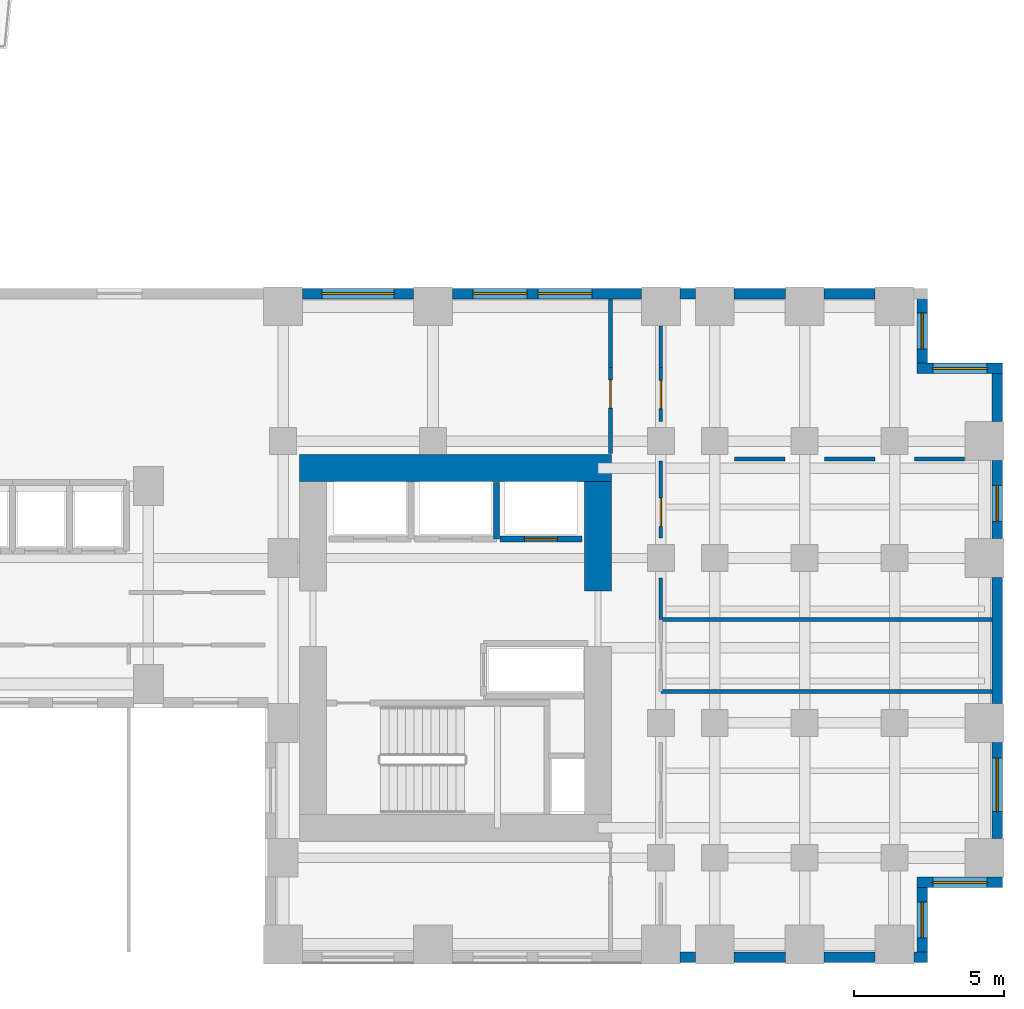
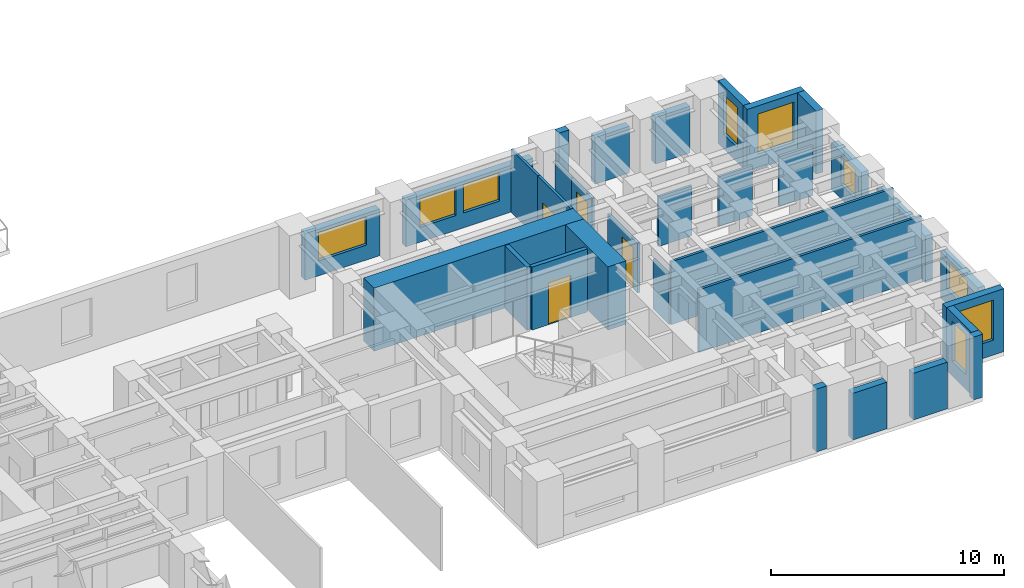
# One storey, part 8 of 11: 32 walls, 9 windows, 4 doors, 13 openings.
"""IFC4 building model written with IfcOpenShell, lengths in metres."""

import ifcopenshell
import ifcopenshell.guid

model = None  # the IFC model being written
_history = None  # IfcOwnerHistory: only IFC2X3 demands one
_inside = {}  # id of a spatial element -> (the spatial element, [elements in it])
_under = {}  # id of a project, library or spatial element -> (it, [spatial elements below it])
_declared = {}  # id of a project -> (the project, [libraries it declares])
_typed = {}  # id of a type object -> (the type object, [elements of that type])
_made_of = {}  # id of a material, layer set ... -> (it, [elements and type objects made of it])


def new_model(schema):
    """Start an empty IFC model of exactly this schema.

    Asked for "IFC4X3", IfcOpenShell would pick the latest addendum, in which some entities
    have other attributes; the version numbers below select the first issue.
    IFC2X3 requires an IfcOwnerHistory on every rooted entity: one is made here for all.
    """
    global model, _history
    if schema == "IFC4X3":
        model = ifcopenshell.file(schema_version=(4, 3, 0, 0))
    else:
        model = ifcopenshell.file(schema=schema)
    _inside.clear()
    _under.clear()
    _declared.clear()
    _typed.clear()
    _made_of.clear()
    _history = None
    if model.schema == "IFC2X3":
        org = make("IfcOrganization", Name="unknown")
        user = make(
            "IfcPersonAndOrganization",
            ThePerson=make("IfcPerson", FamilyName="unknown"),
            TheOrganization=org,
        )
        app = make(
            "IfcApplication",
            ApplicationDeveloper=org,
            Version="unknown",
            ApplicationFullName="unknown",
            ApplicationIdentifier="unknown",
        )
        _history = make(
            "IfcOwnerHistory",
            OwningUser=user,
            OwningApplication=app,
            ChangeAction="ADDED",
            CreationDate=0,
        )
    return model


def make(cls, **values):
    """One entity of the class cls with the attributes given. An attribute that is None is left unset."""
    return model.create_entity(
        cls, **{name: value for name, value in values.items() if value is not None}
    )


def rooted(cls, **values):
    """An entity with a GlobalId (a new one), such as an element, a storey or a relation."""
    return make(cls, GlobalId=ifcopenshell.guid.new(), OwnerHistory=_history, **values)


def si_unit(unit_type, name, prefix=None):
    """IfcSIUnit, for example si_unit("LENGTHUNIT", "METRE", prefix="MILLI")."""
    return make("IfcSIUnit", UnitType=unit_type, Prefix=prefix, Name=name)


def assignment(units):
    """IfcUnitAssignment: the units of a project."""
    return None if units is None else make("IfcUnitAssignment", Units=units)


def point(xyz):
    """IfcCartesianPoint."""
    return None if xyz is None else make("IfcCartesianPoint", Coordinates=xyz)


def direction(xyz):
    """IfcDirection."""
    return None if xyz is None else make("IfcDirection", DirectionRatios=xyz)


def frame(location, z_axis=None, x_axis=None):
    """IfcAxis2Placement3D, a coordinate frame: its origin and axes. An axis left out is left unset."""
    return make(
        "IfcAxis2Placement3D",
        Location=point(location),
        Axis=direction(z_axis),
        RefDirection=direction(x_axis),
    )


def frame_2d(location, x_axis=None):
    """IfcAxis2Placement2D, a coordinate frame in the plane: its origin and x axis."""
    return make(
        "IfcAxis2Placement2D", Location=point(location), RefDirection=direction(x_axis)
    )


def origin():
    """The frame at (0, 0, 0) with its axes left unset."""
    return frame((0.0, 0.0, 0.0))


def place(relative_to, where):
    """IfcLocalPlacement: puts the frame where relative to a parent placement (None: the world)."""
    return make(
        "IfcLocalPlacement", PlacementRelTo=relative_to, RelativePlacement=where
    )


def context(
    kind, dimensions, precision=None, world=None, true_north=None, identifier=None
):
    """IfcGeometricRepresentationContext, for example the 3D "Model" context."""
    return make(
        "IfcGeometricRepresentationContext",
        ContextIdentifier=identifier,
        ContextType=kind,
        CoordinateSpaceDimension=dimensions,
        Precision=precision,
        WorldCoordinateSystem=world,
        TrueNorth=true_north,
    )


def subcontext(parent, identifier, kind, view, scale=None):
    """IfcGeometricRepresentationSubContext, for example "Body" below "Model"."""
    return make(
        "IfcGeometricRepresentationSubContext",
        ContextIdentifier=identifier,
        ContextType=kind,
        ParentContext=parent,
        TargetScale=scale,
        TargetView=view,
    )


def project(units=None, contexts=None):
    """IfcProject with its units and contexts."""
    return rooted(
        "IfcProject",
        Name="project",
        RepresentationContexts=contexts,
        UnitsInContext=assignment(units),
    )


def spatial(cls, under=None, at=None, **own):
    """A site, building, storey or space (cls), placed at a placement, below another one or the project."""
    s = rooted(cls, ObjectPlacement=at, **own)
    if under is not None:
        _under.setdefault(under.id(), (under, []))[1].append(s)
    return s


def profile(cls, at=None, kind="AREA", **sizes):
    """A parametric profile (cls). Its sizes go by their IFC names, for example OverallWidth=200.0."""
    return make(cls, ProfileType=kind, Position=at, **sizes)


def rectangle(**sizes):
    """IfcRectangleProfileDef."""
    return profile("IfcRectangleProfileDef", **sizes)


def extrude(swept, where, along, depth):
    """IfcExtrudedAreaSolid: the profile swept, set in the frame where, extruded along a direction by depth."""
    return make(
        "IfcExtrudedAreaSolid",
        SweptArea=swept,
        Position=where,
        ExtrudedDirection=direction(along),
        Depth=depth,
    )


def shape(context_of_items, identifier, shape_type, items):
    """IfcShapeRepresentation: the items that make up one representation, for example the "Body"."""
    return make(
        "IfcShapeRepresentation",
        ContextOfItems=context_of_items,
        RepresentationIdentifier=identifier,
        RepresentationType=shape_type,
        Items=items,
    )


def source(mapping_origin, context_of_items, identifier, shape_type, items):
    """IfcRepresentationMap: a shape defined once, which mapped items show again and again."""
    return make(
        "IfcRepresentationMap",
        MappingOrigin=mapping_origin,
        MappedRepresentation=shape(context_of_items, identifier, shape_type, items),
    )


def transform(
    local_origin,
    x_axis=None,
    y_axis=None,
    z_axis=None,
    scale=None,
    scale2=None,
    scale3=None,
    uniform=True,
):
    """IfcCartesianTransformationOperator3D, or its non-uniform kind. x_axis, y_axis, z_axis: its Axis1, 2, 3."""
    if uniform:
        return make(
            "IfcCartesianTransformationOperator3D",
            Axis1=direction(x_axis),
            Axis2=direction(y_axis),
            LocalOrigin=point(local_origin),
            Scale=scale,
            Axis3=direction(z_axis),
        )
    return make(
        "IfcCartesianTransformationOperator3DnonUniform",
        Axis1=direction(x_axis),
        Axis2=direction(y_axis),
        LocalOrigin=point(local_origin),
        Scale=scale,
        Axis3=direction(z_axis),
        Scale2=scale2,
        Scale3=scale3,
    )


def mapped(mapping_source, mapping_target):
    """IfcMappedItem: shows the shape of a source again, moved by a transform."""
    return make(
        "IfcMappedItem", MappingSource=mapping_source, MappingTarget=mapping_target
    )


def material(Name=None, Category=None):
    """IfcMaterial."""
    return make("IfcMaterial", Name=Name, Category=Category)


def layer(
    of_material, thickness, ventilated=None, Name=None, Category=None, Priority=None
):
    """IfcMaterialLayer: one layer of a wall or slab, of a material (None: an air gap)."""
    return make(
        "IfcMaterialLayer",
        Material=of_material,
        LayerThickness=thickness,
        IsVentilated=ventilated,
        Name=Name,
        Category=Category,
        Priority=Priority,
    )


def layer_set(layers, Name=None):
    """IfcMaterialLayerSet."""
    return make("IfcMaterialLayerSet", MaterialLayers=layers, LayerSetName=Name)


def made_of(thing, what):
    """Note that an element or type object is made of a material, layer set ...; save() writes the relation."""
    if what is not None:
        _made_of.setdefault(what.id(), (what, []))[1].append(thing)
    return thing


def type_object(cls, material=None, **own):
    """A type object (cls), such as IfcWallType, which elements share."""
    return made_of(rooted(cls, **own), material)


def element(
    cls,
    number,
    at=None,
    inside=None,
    cuts=None,
    type_object=None,
    material=None,
    context=None,
    identifier="Body",
    shape_type=None,
    held_by="IfcProductDefinitionShape",
    body=None,
    shapes=None,
    **own,
):
    """One element of the class cls, such as IfcWall. Its Tag is "e" and its number.

    at: its placement. inside: the storey or other place that contains it. cuts: it is an
    opening in that element (IfcRelVoidsElement). A single representation is given by context,
    identifier, shape_type and body (its items); several are given by shapes. held_by: the class
    of the entity that holds the representations. save() writes the other relations.
    """
    e = rooted(cls, Tag="e%d" % number, ObjectPlacement=at, **own)
    if body is not None:
        shapes = [shape(context, identifier, shape_type, body)]
    if shapes is not None:
        e.Representation = make(held_by, Representations=shapes)
    if inside is not None:
        _inside.setdefault(inside.id(), (inside, []))[1].append(e)
    if cuts is not None:
        rooted(
            "IfcRelVoidsElement", RelatingBuildingElement=cuts, RelatedOpeningElement=e
        )
    if type_object is not None:
        _typed.setdefault(type_object.id(), (type_object, []))[1].append(e)
    return made_of(e, material)


def fill(opening, filler):
    """IfcRelFillsElement: the door or window that sits in an opening."""
    return rooted(
        "IfcRelFillsElement",
        RelatingOpeningElement=opening,
        RelatedBuildingElement=filler,
    )


def aggregate(whole, parts):
    """IfcRelAggregates: a whole, such as a stair, and the parts it consists of."""
    return rooted("IfcRelAggregates", RelatingObject=whole, RelatedObjects=parts)


def save(model, path):
    """Write the relations noted so far, then the file.

    IfcRelAggregates (storeys below a building ...), IfcRelContainedInSpatialStructure (elements
    in a storey), IfcRelDefinesByType, IfcRelAssociatesMaterial and IfcRelDeclares: one each for
    every whole, place, type object, material and project.
    """
    for whole, parts in _under.values():
        aggregate(whole, parts)
    for where, things in _inside.values():
        rooted(
            "IfcRelContainedInSpatialStructure",
            RelatedElements=things,
            RelatingStructure=where,
        )
    for kind, things in _typed.values():
        rooted("IfcRelDefinesByType", RelatedObjects=things, RelatingType=kind)
    for what, things in _made_of.values():
        rooted("IfcRelAssociatesMaterial", RelatedObjects=things, RelatingMaterial=what)
    for by, libraries in _declared.values():
        rooted("IfcRelDeclares", RelatingContext=by, RelatedDefinitions=libraries)
    model.write(path)


model = new_model("IFC4")

# Units and contexts
model_context = context("Model", 3, precision=1e-05, world=origin(), true_north=direction((0.0, 1.0)))
body_context = subcontext(model_context, "Body", "Model", "MODEL_VIEW")
ifc_project = project(units=[si_unit("LENGTHUNIT", "METRE"), si_unit("AREAUNIT", "SQUARE_METRE"), si_unit("VOLUMEUNIT", "CUBIC_METRE"), si_unit("PLANEANGLEUNIT", "RADIAN"), si_unit("MASSUNIT", "GRAM", prefix="KILO")], contexts=[model_context])

# Site, building, storey
site_placement = place(None, origin())
site = spatial("IfcSite", under=ifc_project, at=site_placement, CompositionType="ELEMENT")
building_placement = place(site_placement, origin())
building = spatial("IfcBuilding", under=site, at=building_placement, Name="Kharzan Plaza Tower", CompositionType="ELEMENT")
storey_placement = place(building_placement, frame((0.0, 0.0, 69.300048828125)))
storey = spatial("IfcBuildingStorey", under=building, at=storey_placement, Name="L18", CompositionType="ELEMENT", Elevation=69.300048828125)

# Wall, opening, window
ifc_material_1 = material(Name="Concrete C40/50", Category="concrete")
ifc_layer_1 = layer(ifc_material_1, 0.35009765625)
ifc_layer_set_1 = layer_set([ifc_layer_1], Name="Concrete C40/50")
wall_type_1 = type_object("IfcWallType", Name="WL-EXT-MAS-Z1", PredefinedType="SOLIDWALL", material=ifc_layer_set_1)
wall_1_placement = place(storey_placement, frame((56.324951171875, 0.347900390625, 0.0), z_axis=(0.0, 0.0, 1.0), x_axis=(0.0, 1.0, 0.0)))
wall_1 = element("IfcWall", 1, at=wall_1_placement, inside=storey, type_object=wall_type_1, Name="L18 Masonry-Frame Exterior Wall 39", PredefinedType="SOLIDWALL", context=body_context, shape_type="SweptSolid", body=[
    extrude(rectangle(XDim=2.154052734375, YDim=0.35009765625, at=frame_2d((1.0771484375, 0.0))), origin(), (0.0, 0.0, 1.0), 3.304931640625),
])
opening_1_placement = place(wall_1_placement, frame((0.47705078125, 0.0, 0.780029296875)))
opening_1 = element("IfcOpeningElement", 2, at=opening_1_placement, cuts=wall_1, Name="Opening W3", PredefinedType="OPENING", context=body_context, shape_type="SweptSolid", body=[
    extrude(rectangle(XDim=1.199951171875, YDim=2.10009765625, at=frame_2d((0.60009765625, 1.050048828125))), frame((0.0, 0.18505859375, 0.0), z_axis=(0.0, -1.0, 0.0), x_axis=(1.0, 0.0, 0.0)), (0.0, 0.0, 1.0), 0.3701171875),
])
ifc_material_2 = material(Name="Low-E Double Glazing", Category="glass")
window_type_1 = type_object("IfcWindowType", Name="WN-REC-1200x2100", PartitioningType="SINGLE_PANEL", PredefinedType="WINDOW", material=ifc_material_2)
shared_shape_1 = source(origin(), body_context, "Body", "SweptSolid", [
    extrude(rectangle(XDim=1.199951171875, YDim=2.10009765625, at=frame_2d((0.60009765625, 1.050048828125))), frame((0.0, 0.030029296875, 0.0), z_axis=(0.0, -1.0, 0.0), x_axis=(1.0, 0.0, 0.0)), (0.0, 0.0, 1.0), 0.06005859375),
])
window_1_placement = place(opening_1_placement, origin())
window_1 = element("IfcWindow", 3, at=window_1_placement, inside=storey, type_object=window_type_1, Name="L18 Recessed Solar-Control Window 39-1", OverallHeight=2.10009765625, OverallWidth=1.199951171875, PartitioningType="SINGLE_PANEL", PredefinedType="WINDOW", context=body_context, shape_type="MappedRepresentation", body=[
    mapped(shared_shape_1, transform((0.0, 0.0, 0.0), x_axis=(1.0, 0.0, 0.0), y_axis=(0.0, 1.0, 0.0), z_axis=(0.0, 0.0, 1.0))),
])
fill(opening_1, window_1)

wall_2_placement = place(storey_placement, frame((56.14990234375, 2.675048828125, 0.0), z_axis=(0.0, 0.0, 1.0), x_axis=(1.0, 0.0, 0.0)))
wall_2 = element("IfcWall", 4, at=wall_2_placement, inside=storey, type_object=wall_type_1, Name="L18 Masonry-Frame Exterior Wall 40", PredefinedType="SOLIDWALL", context=body_context, shape_type="SweptSolid", body=[
    extrude(rectangle(XDim=2.85009765625, YDim=0.35009765625, at=frame_2d((1.425048828125, 0.0))), origin(), (0.0, 0.0, 1.0), 3.304931640625),
])
opening_2_placement = place(wall_2_placement, frame((0.52490234375, 0.0, 0.780029296875)))
opening_2 = element("IfcOpeningElement", 5, at=opening_2_placement, cuts=wall_2, Name="Opening W1", PredefinedType="OPENING", context=body_context, shape_type="SweptSolid", body=[
    extrude(rectangle(XDim=1.800048828125, YDim=2.10009765625, at=frame_2d((0.89990234375, 1.050048828125))), frame((0.0, 0.18505859375, 0.0), z_axis=(0.0, -1.0, 0.0), x_axis=(1.0, 0.0, 0.0)), (0.0, 0.0, 1.0), 0.3701171875),
])
window_type_2 = type_object("IfcWindowType", Name="WN-REC-1800x2100", PartitioningType="SINGLE_PANEL", PredefinedType="WINDOW", material=ifc_material_2)
shared_shape_2 = source(origin(), body_context, "Body", "SweptSolid", [
    extrude(rectangle(XDim=1.800048828125, YDim=2.10009765625, at=frame_2d((0.89990234375, 1.050048828125))), frame((0.0, 0.030029296875, 0.0), z_axis=(0.0, -1.0, 0.0), x_axis=(1.0, 0.0, 0.0)), (0.0, 0.0, 1.0), 0.06005859375),
])
window_2_placement = place(opening_2_placement, origin())
window_2 = element("IfcWindow", 6, at=window_2_placement, inside=storey, type_object=window_type_2, Name="L18 Recessed Solar-Control Window 40-1", OverallHeight=2.10009765625, OverallWidth=1.800048828125, PartitioningType="SINGLE_PANEL", PredefinedType="WINDOW", context=body_context, shape_type="MappedRepresentation", body=[
    mapped(shared_shape_2, transform((0.0, 0.0, 0.0), x_axis=(1.0, 0.0, 0.0), y_axis=(0.0, 1.0, 0.0), z_axis=(0.0, 0.0, 1.0))),
])
fill(opening_2, window_2)

wall_3_placement = place(storey_placement, frame((58.824951171875, 4.14794921875, 0.0), z_axis=(0.0, 0.0, 1.0), x_axis=(0.0, 1.0, 0.0)))
wall_3 = element("IfcWall", 7, at=wall_3_placement, inside=storey, type_object=wall_type_1, Name="L18 Masonry-Frame Exterior Wall 41", PredefinedType="SOLIDWALL", context=body_context, shape_type="SweptSolid", body=[
    extrude(rectangle(XDim=3.2041015625, YDim=0.35009765625, at=frame_2d((1.60205078125, 0.0))), origin(), (0.0, 0.0, 1.0), 2.449951171875),
])
opening_3_placement = place(wall_3_placement, frame((0.88671875, 0.0, 0.780029296875)))
opening_3 = element("IfcOpeningElement", 8, at=opening_3_placement, cuts=wall_3, Name="Opening W1", PredefinedType="OPENING", context=body_context, shape_type="SweptSolid", body=[
    extrude(rectangle(XDim=1.800048828125, YDim=1.489990234375, at=frame_2d((0.89990234375, 0.7451171875))), frame((0.0, 0.18505859375, 0.0), z_axis=(0.0, -1.0, 0.0), x_axis=(1.0, 0.0, 0.0)), (0.0, 0.0, 1.0), 0.3701171875),
])
shared_shape_3 = source(origin(), body_context, "Body", "SweptSolid", [
    extrude(rectangle(XDim=1.800048828125, YDim=1.489990234375, at=frame_2d((0.89990234375, 0.7451171875))), frame((0.0, 0.030029296875, 0.0), z_axis=(0.0, -1.0, 0.0), x_axis=(1.0, 0.0, 0.0)), (0.0, 0.0, 1.0), 0.06005859375),
])
window_3_placement = place(opening_3_placement, origin())
window_3 = element("IfcWindow", 9, at=window_3_placement, inside=storey, type_object=window_type_2, Name="L18 Recessed Solar-Control Window 41-1", OverallHeight=1.489990234375, OverallWidth=1.800048828125, PartitioningType="SINGLE_PANEL", PredefinedType="WINDOW", context=body_context, shape_type="MappedRepresentation", body=[
    mapped(shared_shape_3, transform((0.0, 0.0, 0.0), x_axis=(1.0, 0.0, 0.0), y_axis=(0.0, 1.0, 0.0), z_axis=(0.0, 0.0, 1.0))),
])
fill(opening_3, window_3)

wall_4_placement = place(storey_placement, frame((58.824951171875, 14.14794921875, 0.0), z_axis=(0.0, 0.0, 1.0), x_axis=(0.0, 1.0, 0.0)))
wall_4 = element("IfcWall", 10, at=wall_4_placement, inside=storey, type_object=wall_type_1, Name="L18 Masonry-Frame Exterior Wall 43", PredefinedType="SOLIDWALL", context=body_context, shape_type="SweptSolid", body=[
    extrude(rectangle(XDim=2.60400390625, YDim=0.35009765625, at=frame_2d((1.302001953125, 0.0))), origin(), (0.0, 0.0, 1.0), 2.449951171875),
])
opening_4_placement = place(wall_4_placement, frame((0.5673828125, 0.0, 0.780029296875)))
opening_4 = element("IfcOpeningElement", 11, at=opening_4_placement, cuts=wall_4, Name="Opening W3", PredefinedType="OPENING", context=body_context, shape_type="SweptSolid", body=[
    extrude(rectangle(XDim=1.199951171875, YDim=1.489990234375, at=frame_2d((0.60009765625, 0.7451171875))), frame((0.0, 0.18505859375, 0.0), z_axis=(0.0, -1.0, 0.0), x_axis=(1.0, 0.0, 0.0)), (0.0, 0.0, 1.0), 0.3701171875),
])
shared_shape_4 = source(origin(), body_context, "Body", "SweptSolid", [
    extrude(rectangle(XDim=1.199951171875, YDim=1.489990234375, at=frame_2d((0.60009765625, 0.7451171875))), frame((0.0, 0.030029296875, 0.0), z_axis=(0.0, -1.0, 0.0), x_axis=(1.0, 0.0, 0.0)), (0.0, 0.0, 1.0), 0.06005859375),
])
window_4_placement = place(opening_4_placement, origin())
window_4 = element("IfcWindow", 12, at=window_4_placement, inside=storey, type_object=window_type_1, Name="L18 Recessed Solar-Control Window 43-1", OverallHeight=1.489990234375, OverallWidth=1.199951171875, PartitioningType="SINGLE_PANEL", PredefinedType="WINDOW", context=body_context, shape_type="MappedRepresentation", body=[
    mapped(shared_shape_4, transform((0.0, 0.0, 0.0), x_axis=(1.0, 0.0, 0.0), y_axis=(0.0, 1.0, 0.0), z_axis=(0.0, 0.0, 1.0))),
])
fill(opening_4, window_4)

wall_5_placement = place(storey_placement, frame((59.0, 19.824951171875, 0.0), z_axis=(0.0, 0.0, 1.0), x_axis=(-1.0, 0.0, 0.0)))
wall_5 = element("IfcWall", 13, at=wall_5_placement, inside=storey, type_object=wall_type_1, Name="L18 Masonry-Frame Exterior Wall 45", PredefinedType="SOLIDWALL", context=body_context, shape_type="SweptSolid", body=[
    extrude(rectangle(XDim=2.85009765625, YDim=0.35009765625, at=frame_2d((1.425048828125, 0.0))), origin(), (0.0, 0.0, 1.0), 3.304931640625),
])
opening_5_placement = place(wall_5_placement, frame((0.52490234375, 0.0, 0.780029296875)))
opening_5 = element("IfcOpeningElement", 14, at=opening_5_placement, cuts=wall_5, Name="Opening W1", PredefinedType="OPENING", context=body_context, shape_type="SweptSolid", body=[
    extrude(rectangle(XDim=1.800048828125, YDim=2.10009765625, at=frame_2d((0.89990234375, 1.050048828125))), frame((0.0, 0.18505859375, 0.0), z_axis=(0.0, -1.0, 0.0), x_axis=(1.0, 0.0, 0.0)), (0.0, 0.0, 1.0), 0.3701171875),
])
window_5_placement = place(opening_5_placement, origin())
window_5 = element("IfcWindow", 15, at=window_5_placement, inside=storey, type_object=window_type_2, Name="L18 Recessed Solar-Control Window 45-1", OverallHeight=2.10009765625, OverallWidth=1.800048828125, PartitioningType="SINGLE_PANEL", PredefinedType="WINDOW", context=body_context, shape_type="MappedRepresentation", body=[
    mapped(shared_shape_2, transform((0.0, 0.0, 0.0), x_axis=(1.0, 0.0, 0.0), y_axis=(0.0, 1.0, 0.0), z_axis=(0.0, 0.0, 1.0))),
])
fill(opening_5, window_5)

wall_6_placement = place(storey_placement, frame((56.324951171875, 19.998046875, 0.0), z_axis=(0.0, 0.0, 1.0), x_axis=(0.0, 1.0, 0.0)))
wall_6 = element("IfcWall", 16, at=wall_6_placement, inside=storey, type_object=wall_type_1, Name="L18 Masonry-Frame Exterior Wall 46", PredefinedType="SOLIDWALL", context=body_context, shape_type="SweptSolid", body=[
    extrude(rectangle(XDim=2.154052734375, YDim=0.35009765625, at=frame_2d((1.0771484375, 0.0))), origin(), (0.0, 0.0, 1.0), 3.304931640625),
])
opening_6_placement = place(wall_6_placement, frame((0.47705078125, 0.0, 0.780029296875)))
opening_6 = element("IfcOpeningElement", 17, at=opening_6_placement, cuts=wall_6, Name="Opening W3", PredefinedType="OPENING", context=body_context, shape_type="SweptSolid", body=[
    extrude(rectangle(XDim=1.199951171875, YDim=2.10009765625, at=frame_2d((0.60009765625, 1.050048828125))), frame((0.0, 0.18505859375, 0.0), z_axis=(0.0, -1.0, 0.0), x_axis=(1.0, 0.0, 0.0)), (0.0, 0.0, 1.0), 0.3701171875),
])
window_6_placement = place(opening_6_placement, origin())
window_6 = element("IfcWindow", 18, at=window_6_placement, inside=storey, type_object=window_type_1, Name="L18 Recessed Solar-Control Window 46-1", OverallHeight=2.10009765625, OverallWidth=1.199951171875, PartitioningType="SINGLE_PANEL", PredefinedType="WINDOW", context=body_context, shape_type="MappedRepresentation", body=[
    mapped(shared_shape_1, transform((0.0, 0.0, 0.0), x_axis=(1.0, 0.0, 0.0), y_axis=(0.0, 1.0, 0.0), z_axis=(0.0, 0.0, 1.0))),
])
fill(opening_6, window_6)

# Wall, openings, windows
wall_7_placement = place(storey_placement, frame((46.951904296875, 22.324951171875, 0.0), z_axis=(0.0, 0.0, 1.0), x_axis=(-1.0, 0.0, 0.0)))
wall_7 = element("IfcWall", 19, at=wall_7_placement, inside=storey, type_object=wall_type_1, Name="L18 Masonry-Frame Exterior Wall 51", PredefinedType="SOLIDWALL", context=body_context, shape_type="SweptSolid", body=[
    extrude(rectangle(XDim=6.303955078125, YDim=0.35009765625, at=frame_2d((3.15185546875, 0.0))), origin(), (0.0, 0.0, 1.0), 2.449951171875),
])
opening_7_placement = place(wall_7_placement, frame((1.6494140625, 0.0, 0.780029296875)))
opening_7 = element("IfcOpeningElement", 20, at=opening_7_placement, cuts=wall_7, Name="Opening W1", PredefinedType="OPENING", context=body_context, shape_type="SweptSolid", body=[
    extrude(rectangle(XDim=1.800048828125, YDim=1.489990234375, at=frame_2d((0.89990234375, 0.7451171875))), frame((0.0, 0.18505859375, 0.0), z_axis=(0.0, -1.0, 0.0), x_axis=(1.0, 0.0, 0.0)), (0.0, 0.0, 1.0), 0.3701171875),
])
opening_8_placement = place(wall_7_placement, frame((3.816650390625, 0.0, 0.780029296875)))
opening_8 = element("IfcOpeningElement", 21, at=opening_8_placement, cuts=wall_7, Name="Opening W1", PredefinedType="OPENING", context=body_context, shape_type="SweptSolid", body=[
    extrude(rectangle(XDim=1.800048828125, YDim=1.489990234375, at=frame_2d((0.89990234375, 0.7451171875))), frame((0.0, 0.18505859375, 0.0), z_axis=(0.0, -1.0, 0.0), x_axis=(1.0, 0.0, 0.0)), (0.0, 0.0, 1.0), 0.3701171875),
])
window_7_placement = place(opening_7_placement, origin())
window_7 = element("IfcWindow", 22, at=window_7_placement, inside=storey, type_object=window_type_2, Name="L18 Recessed Solar-Control Window 51-1", OverallHeight=1.489990234375, OverallWidth=1.800048828125, PartitioningType="SINGLE_PANEL", PredefinedType="WINDOW", context=body_context, shape_type="MappedRepresentation", body=[
    mapped(shared_shape_3, transform((0.0, 0.0, 0.0), x_axis=(1.0, 0.0, 0.0), y_axis=(0.0, 1.0, 0.0), z_axis=(0.0, 0.0, 1.0))),
])
fill(opening_7, window_7)
window_8_placement = place(opening_8_placement, origin())
window_8 = element("IfcWindow", 23, at=window_8_placement, inside=storey, type_object=window_type_2, Name="L18 Recessed Solar-Control Window 51-2", OverallHeight=1.489990234375, OverallWidth=1.800048828125, PartitioningType="SINGLE_PANEL", PredefinedType="WINDOW", context=body_context, shape_type="MappedRepresentation", body=[
    mapped(shared_shape_3, transform((0.0, 0.0, 0.0), x_axis=(1.0, 0.0, 0.0), y_axis=(0.0, 1.0, 0.0), z_axis=(0.0, 0.0, 1.0))),
])
fill(opening_8, window_8)

# Wall, opening, window
wall_8_placement = place(storey_placement, frame((39.35205078125, 22.324951171875, 0.0), z_axis=(0.0, 0.0, 1.0), x_axis=(-1.0, 0.0, 0.0)))
wall_8 = element("IfcWall", 24, at=wall_8_placement, inside=storey, type_object=wall_type_1, Name="L18 Masonry-Frame Exterior Wall 52", PredefinedType="SOLIDWALL", context=body_context, shape_type="SweptSolid", body=[
    extrude(rectangle(XDim=3.7041015625, YDim=0.35009765625, at=frame_2d((1.85205078125, 0.0))), origin(), (0.0, 0.0, 1.0), 2.449951171875),
])
opening_9_placement = place(wall_8_placement, frame((0.652099609375, 0.0, 0.780029296875)))
opening_9 = element("IfcOpeningElement", 25, at=opening_9_placement, cuts=wall_8, Name="Opening W2", PredefinedType="OPENING", context=body_context, shape_type="SweptSolid", body=[
    extrude(rectangle(XDim=2.39990234375, YDim=1.489990234375, at=frame_2d((1.199951171875, 0.7451171875))), frame((0.0, 0.18505859375, 0.0), z_axis=(0.0, -1.0, 0.0), x_axis=(1.0, 0.0, 0.0)), (0.0, 0.0, 1.0), 0.3701171875),
])
window_type_3 = type_object("IfcWindowType", Name="WN-REC-2400x2100", PartitioningType="SINGLE_PANEL", PredefinedType="WINDOW", material=ifc_material_2)
shared_shape_5 = source(origin(), body_context, "Body", "SweptSolid", [
    extrude(rectangle(XDim=2.39990234375, YDim=1.489990234375, at=frame_2d((1.199951171875, 0.7451171875))), frame((0.0, 0.030029296875, 0.0), z_axis=(0.0, -1.0, 0.0), x_axis=(1.0, 0.0, 0.0)), (0.0, 0.0, 1.0), 0.06005859375),
])
window_9_placement = place(opening_9_placement, origin())
window_9 = element("IfcWindow", 26, at=window_9_placement, inside=storey, type_object=window_type_3, Name="L18 Wide Recessed Solar-Control Window 52-1", OverallHeight=1.489990234375, OverallWidth=2.39990234375, PartitioningType="SINGLE_PANEL", PredefinedType="WINDOW", context=body_context, shape_type="MappedRepresentation", body=[
    mapped(shared_shape_5, transform((0.0, 0.0, 0.0), x_axis=(1.0, 0.0, 0.0), y_axis=(0.0, 1.0, 0.0), z_axis=(0.0, 0.0, 1.0))),
])
fill(opening_9, window_9)

# Wall, opening, door
ifc_material_3 = material(Name="Fire-Rated Gypsum Board Partition", Category="gypsum")
ifc_layer_2 = layer(ifc_material_3, 0.125)
ifc_layer_set_2 = layer_set([ifc_layer_2], Name="Fire-Rated Gypsum Board Partition")
wall_type_2 = type_object("IfcWallType", Name="WL-INT-PART-125", PredefinedType="PARTITIONING", material=ifc_layer_set_2)
wall_9_placement = place(storey_placement, frame((47.60009765625, 14.159912109375, 0.0), z_axis=(0.0, 0.0, 1.0), x_axis=(0.0, 1.0, 0.0)))
wall_9 = element("IfcWall", 27, at=wall_9_placement, inside=storey, type_object=wall_type_2, Name="L18 Interior Partition SH-B1W1-S2", PredefinedType="PARTITIONING", context=body_context, shape_type="SweptSolid", body=[
    extrude(rectangle(XDim=2.580078125, YDim=0.125, at=frame_2d((1.2900390625, 0.0))), origin(), (0.0, 0.0, 1.0), 2.60986328125),
])
opening_10_placement = place(wall_9_placement, frame((0.3916015625, 0.0, 0.0)))
opening_10 = element("IfcOpeningElement", 28, at=opening_10_placement, cuts=wall_9, Name="Opening OD1", PredefinedType="OPENING", context=body_context, shape_type="SweptSolid", body=[
    extrude(rectangle(XDim=0.949951171875, YDim=2.14990234375, at=frame_2d((0.47509765625, 1.074951171875))), frame((0.0, 0.072509765625, 0.0), z_axis=(0.0, -1.0, 0.0), x_axis=(1.0, 0.0, 0.0)), (0.0, 0.0, 1.0), 0.14501953125),
])
ifc_material_4 = material(Name="Acoustic Solid-Core Stained Oak", Category="timber")
door_type_1 = type_object("IfcDoorType", Name="DR-OFF-SINGLE", OperationType="NOTDEFINED", PredefinedType="DOOR", material=ifc_material_4)
shared_shape_6 = source(origin(), body_context, "Body", "SweptSolid", [
    extrude(rectangle(XDim=0.949951171875, YDim=2.14990234375, at=frame_2d((0.47509765625, 1.074951171875))), frame((0.0, 0.02490234375, 0.0), z_axis=(0.0, -1.0, 0.0), x_axis=(1.0, 0.0, 0.0)), (0.0, 0.0, 1.0), 0.050048828125),
])
door_1_placement = place(opening_10_placement, origin())
door_1 = element("IfcDoor", 29, at=door_1_placement, inside=storey, type_object=door_type_1, Name="L18 Wing B Mid Office Door", OperationType="SINGLE_SWING_RIGHT", OverallHeight=2.14990234375, OverallWidth=0.949951171875, PredefinedType="DOOR", context=body_context, shape_type="MappedRepresentation", body=[
    mapped(shared_shape_6, transform((0.0, 0.0, 0.0), x_axis=(1.0, 0.0, 0.0), y_axis=(0.0, 1.0, 0.0), z_axis=(0.0, 0.0, 1.0))),
])
fill(opening_10, door_1)

wall_10_placement = place(storey_placement, frame((47.60009765625, 18.06005859375, 0.0), z_axis=(0.0, 0.0, 1.0), x_axis=(0.0, 1.0, 0.0)))
wall_10 = element("IfcWall", 30, at=wall_10_placement, inside=storey, type_object=wall_type_2, Name="L18 Interior Partition SH-B1W2", PredefinedType="PARTITIONING", context=body_context, shape_type="SweptSolid", body=[
    extrude(rectangle(XDim=1.7900390625, YDim=0.125, at=frame_2d((0.89501953125, 0.0))), origin(), (0.0, 0.0, 1.0), 2.60986328125),
])
opening_11_placement = place(wall_10_placement, frame((0.419921875, 0.0, 0.0)))
opening_11 = element("IfcOpeningElement", 31, at=opening_11_placement, cuts=wall_10, Name="Opening OD1", PredefinedType="OPENING", context=body_context, shape_type="SweptSolid", body=[
    extrude(rectangle(XDim=0.949951171875, YDim=2.14990234375, at=frame_2d((0.47509765625, 1.074951171875))), frame((0.0, 0.072509765625, 0.0), z_axis=(0.0, -1.0, 0.0), x_axis=(1.0, 0.0, 0.0)), (0.0, 0.0, 1.0), 0.14501953125),
])
door_2_placement = place(opening_11_placement, origin())
door_2 = element("IfcDoor", 32, at=door_2_placement, inside=storey, type_object=door_type_1, Name="L18 Wing B North Office Door", OperationType="SINGLE_SWING_RIGHT", OverallHeight=2.14990234375, OverallWidth=0.949951171875, PredefinedType="DOOR", context=body_context, shape_type="MappedRepresentation", body=[
    mapped(shared_shape_6, transform((0.0, 0.0, 0.0), x_axis=(1.0, 0.0, 0.0), y_axis=(0.0, 1.0, 0.0), z_axis=(0.0, 0.0, 1.0))),
])
fill(opening_11, door_2)

wall_11_placement = place(storey_placement, frame((45.919921875, 16.97998046875, 0.0), z_axis=(0.0, 0.0, 1.0), x_axis=(0.0, 1.0, 0.0)))
wall_11 = element("IfcWall", 33, at=wall_11_placement, inside=storey, type_object=wall_type_2, Name="L18 Interior Partition SH-RBNE", PredefinedType="PARTITIONING", context=body_context, shape_type="SweptSolid", body=[
    extrude(rectangle(XDim=2.8701171875, YDim=0.125, at=frame_2d((1.43505859375, 0.0))), origin(), (0.0, 0.0, 1.0), 3.304931640625),
])
opening_12_placement = place(wall_11_placement, frame((1.51708984375, 0.0, 0.0)))
opening_12 = element("IfcOpeningElement", 34, at=opening_12_placement, cuts=wall_11, Name="Opening OD1", PredefinedType="OPENING", context=body_context, shape_type="SweptSolid", body=[
    extrude(rectangle(XDim=0.949951171875, YDim=2.14990234375, at=frame_2d((0.47509765625, 1.074951171875))), frame((0.0, 0.072509765625, 0.0), z_axis=(0.0, -1.0, 0.0), x_axis=(1.0, 0.0, 0.0)), (0.0, 0.0, 1.0), 0.14501953125),
])
door_3_placement = place(opening_12_placement, origin())
door_3 = element("IfcDoor", 35, at=door_3_placement, inside=storey, type_object=door_type_1, Name="L18 Wing B North Studio Door", OperationType="SINGLE_SWING_RIGHT", OverallHeight=2.14990234375, OverallWidth=0.949951171875, PredefinedType="DOOR", context=body_context, shape_type="MappedRepresentation", body=[
    mapped(shared_shape_6, transform((0.0, 0.0, 0.0), x_axis=(1.0, 0.0, 0.0), y_axis=(0.0, 1.0, 0.0), z_axis=(0.0, 0.0, 1.0))),
])
fill(opening_12, door_3)

ifc_layer_3 = layer(ifc_material_1, 0.199951171875)
ifc_layer_set_3 = layer_set([ifc_layer_3], Name="Concrete C40/50")
wall_type_3 = type_object("IfcWallType", Name="WL-INT-SHAFT-200", PredefinedType="PARTITIONING", material=ifc_layer_set_3)
wall_12_placement = place(storey_placement, frame((42.22998046875, 14.1298828125, 0.0), z_axis=(0.0, 0.0, 1.0), x_axis=(1.0, 0.0, 0.0)))
wall_12 = element("IfcWall", 36, at=wall_12_placement, inside=storey, type_object=wall_type_3, Name="L18 Interior Partition SHF-PL-L3-S", PredefinedType="PARTITIONING", context=body_context, shape_type="SweptSolid", body=[
    extrude(rectangle(XDim=2.739990234375, YDim=0.199951171875, at=frame_2d((1.3701171875, 0.0))), origin(), (0.0, 0.0, 1.0), 3.304931640625),
])
opening_13_placement = place(wall_12_placement, frame((0.820068359375, 0.0, 0.0)))
opening_13 = element("IfcOpeningElement", 37, at=opening_13_placement, cuts=wall_12, Name="Opening LD", PredefinedType="OPENING", context=body_context, shape_type="SweptSolid", body=[
    extrude(rectangle(XDim=1.10009765625, YDim=2.199951171875, at=frame_2d((0.550048828125, 1.10009765625))), frame((0.0, 0.10986328125, 0.0), z_axis=(0.0, -1.0, 0.0), x_axis=(1.0, 0.0, 0.0)), (0.0, 0.0, 1.0), 0.219970703125),
])
ifc_material_5 = material(Name="Brushed Stainless Steel", Category="steel")
door_type_2 = type_object("IfcDoorType", Name="DR-LIFT-SLIDE", OperationType="SLIDING_TO_LEFT", PredefinedType="DOOR", material=ifc_material_5)
shared_shape_7 = source(origin(), body_context, "Body", "SweptSolid", [
    extrude(rectangle(XDim=1.10009765625, YDim=2.199951171875, at=frame_2d((0.550048828125, 1.10009765625))), frame((0.0, 0.02490234375, 0.0), z_axis=(0.0, -1.0, 0.0), x_axis=(1.0, 0.0, 0.0)), (0.0, 0.0, 1.0), 0.050048828125),
])
door_4_placement = place(opening_13_placement, origin())
door_4 = element("IfcDoor", 38, at=door_4_placement, inside=storey, type_object=door_type_2, Name="L18 Low-Rise Passenger Lift PL-L3 Sliding Landing Door", OperationType="SLIDING_TO_LEFT", OverallHeight=2.199951171875, OverallWidth=1.10009765625, PredefinedType="DOOR", context=body_context, shape_type="MappedRepresentation", body=[
    mapped(shared_shape_7, transform((0.0, 0.0, 0.0), x_axis=(1.0, 0.0, 0.0), y_axis=(0.0, 1.0, 0.0), z_axis=(0.0, 0.0, 1.0))),
])
fill(opening_13, door_4)

# Walls
ifc_material_6 = material(Name="Concrete C60/75", Category="concrete")
ifc_layer_4 = layer(ifc_material_6, 0.89990234375)
ifc_layer_set_4 = layer_set([ifc_layer_4], Name="Concrete C60/75")
wall_type_4 = type_object("IfcWallType", Name="WL-CORE-900", PredefinedType="SHEAR", material=ifc_layer_set_4)
shared_shape_8 = source(origin(), body_context, "Body", "SweptSolid", [
    extrude(rectangle(XDim=3.650146484375, YDim=0.89990234375, at=frame_2d((1.8251953125, 0.0))), origin(), (0.0, 0.0, 1.0), 3.320068359375),
])
wall_13_placement = place(storey_placement, frame((45.5, 12.39990234375, 0.0), z_axis=(0.0, 0.0, 1.0), x_axis=(0.0, 1.0, 0.0)))
element("IfcWall", 39, at=wall_13_placement, inside=storey, type_object=wall_type_4, Name="L18 CORE-B east shear pier 2", PredefinedType="SHEAR", context=body_context, shape_type="MappedRepresentation", body=[
    mapped(shared_shape_8, transform((0.0, 0.0, 0.0), x_axis=(1.0, 0.0, 0.0), y_axis=(0.0, 1.0, 0.0), z_axis=(0.0, 0.0, 1.0))),
])
shared_shape_9 = source(origin(), body_context, "Body", "SweptSolid", [
    extrude(rectangle(XDim=10.39990234375, YDim=0.89990234375, at=frame_2d((5.199951171875, 0.0))), origin(), (0.0, 0.0, 1.0), 3.320068359375),
])
wall_14_placement = place(storey_placement, frame((35.550048828125, 16.5, 0.0), z_axis=(0.0, 0.0, 1.0), x_axis=(1.0, 0.0, 0.0)))
element("IfcWall", 40, at=wall_14_placement, inside=storey, type_object=wall_type_4, Name="L18 CORE-B north RC shear wall", PredefinedType="SHEAR", context=body_context, shape_type="MappedRepresentation", body=[
    mapped(shared_shape_9, transform((0.0, 0.0, 0.0), x_axis=(1.0, 0.0, 0.0), y_axis=(0.0, 1.0, 0.0), z_axis=(0.0, 0.0, 1.0))),
])
shared_shape_10 = source(origin(), body_context, "Body", "SweptSolid", [
    extrude(rectangle(XDim=0.50390625, YDim=0.35009765625, at=frame_2d((0.251953125, 0.0))), origin(), (0.0, 0.0, 1.0), 3.304931640625),
])
for number, where, z_axis, x_axis, name in (
    (41, (48.248046875, 0.175048828125, 0.0), (0.0, 0.0, 1.0), (1.0, 0.0, 0.0), "L18 Masonry-Frame Exterior Wall 35"),
    (42, (48.751953125, 22.324951171875, 0.0), (0.0, 0.0, 1.0), (-1.0, 0.0, 0.0), "L18 Masonry-Frame Exterior Wall 50"),
):
    element("IfcWall", number, at=place(storey_placement, frame(where, z_axis=z_axis, x_axis=x_axis)), inside=storey, type_object=wall_type_1, Name=name, PredefinedType="SOLIDWALL", context=body_context, shape_type="MappedRepresentation", body=[
        mapped(shared_shape_10, transform((0.0, 0.0, 0.0), x_axis=(1.0, 0.0, 0.0), y_axis=(0.0, 1.0, 0.0), z_axis=(0.0, 0.0, 1.0))),
    ])
shared_shape_11 = source(origin(), body_context, "Body", "SweptSolid", [
    extrude(rectangle(XDim=1.703857421875, YDim=0.35009765625, at=frame_2d((0.85205078125, 0.0))), origin(), (0.0, 0.0, 1.0), 2.449951171875),
])
for number, where, z_axis, x_axis, name in (
    (43, (50.048095703125, 0.175048828125, 0.0), (0.0, 0.0, 1.0), (1.0, 0.0, 0.0), "L18 Masonry-Frame Exterior Wall 36"),
    (44, (53.048095703125, 0.175048828125, 0.0), (0.0, 0.0, 1.0), (1.0, 0.0, 0.0), "L18 Masonry-Frame Exterior Wall 37"),
    (45, (54.751953125, 22.324951171875, 0.0), (0.0, 0.0, 1.0), (-1.0, 0.0, 0.0), "L18 Masonry-Frame Exterior Wall 48"),
    (46, (51.751953125, 22.324951171875, 0.0), (0.0, 0.0, 1.0), (-1.0, 0.0, 0.0), "L18 Masonry-Frame Exterior Wall 49"),
):
    element("IfcWall", number, at=place(storey_placement, frame(where, z_axis=z_axis, x_axis=x_axis)), inside=storey, type_object=wall_type_1, Name=name, PredefinedType="SOLIDWALL", context=body_context, shape_type="MappedRepresentation", body=[
        mapped(shared_shape_11, transform((0.0, 0.0, 0.0), x_axis=(1.0, 0.0, 0.0), y_axis=(0.0, 1.0, 0.0), z_axis=(0.0, 0.0, 1.0))),
    ])
shared_shape_12 = source(origin(), body_context, "Body", "SweptSolid", [
    extrude(rectangle(XDim=0.451904296875, YDim=0.35009765625, at=frame_2d((0.22607421875, 0.0))), origin(), (0.0, 0.0, 1.0), 3.304931640625),
])
wall_15_placement = place(storey_placement, frame((56.048095703125, 0.175048828125, 0.0), z_axis=(0.0, 0.0, 1.0), x_axis=(1.0, 0.0, 0.0)))
element("IfcWall", 47, at=wall_15_placement, inside=storey, type_object=wall_type_1, Name="L18 Masonry-Frame Exterior Wall 38", PredefinedType="SOLIDWALL", context=body_context, shape_type="MappedRepresentation", body=[
    mapped(shared_shape_12, transform((0.0, 0.0, 0.0), x_axis=(1.0, 0.0, 0.0), y_axis=(0.0, 1.0, 0.0), z_axis=(0.0, 0.0, 1.0))),
])
shared_shape_13 = source(origin(), body_context, "Body", "SweptSolid", [
    extrude(rectangle(XDim=4.2041015625, YDim=0.35009765625, at=frame_2d((2.10205078125, 0.0))), origin(), (0.0, 0.0, 1.0), 2.449951171875),
])
wall_16_placement = place(storey_placement, frame((58.824951171875, 8.64794921875, 0.0), z_axis=(0.0, 0.0, 1.0), x_axis=(0.0, 1.0, 0.0)))
element("IfcWall", 48, at=wall_16_placement, inside=storey, type_object=wall_type_1, Name="L18 Masonry-Frame Exterior Wall 42", PredefinedType="SOLIDWALL", context=body_context, shape_type="MappedRepresentation", body=[
    mapped(shared_shape_13, transform((0.0, 0.0, 0.0), x_axis=(1.0, 0.0, 0.0), y_axis=(0.0, 1.0, 0.0), z_axis=(0.0, 0.0, 1.0))),
])
shared_shape_14 = source(origin(), body_context, "Body", "SweptSolid", [
    extrude(rectangle(XDim=1.60400390625, YDim=0.35009765625, at=frame_2d((0.802001953125, 0.0))), origin(), (0.0, 0.0, 1.0), 3.304931640625),
])
wall_17_placement = place(storey_placement, frame((58.824951171875, 18.048095703125, 0.0), z_axis=(0.0, 0.0, 1.0), x_axis=(0.0, 1.0, 0.0)))
element("IfcWall", 49, at=wall_17_placement, inside=storey, type_object=wall_type_1, Name="L18 Masonry-Frame Exterior Wall 44", PredefinedType="SOLIDWALL", context=body_context, shape_type="MappedRepresentation", body=[
    mapped(shared_shape_14, transform((0.0, 0.0, 0.0), x_axis=(1.0, 0.0, 0.0), y_axis=(0.0, 1.0, 0.0), z_axis=(0.0, 0.0, 1.0))),
])
shared_shape_15 = source(origin(), body_context, "Body", "SweptSolid", [
    extrude(rectangle(XDim=11.0478515625, YDim=0.125, at=frame_2d((5.52392578125, 0.0))), origin(), (0.0, 0.0, 1.0), 3.304931640625),
])
for number, where, z_axis, x_axis, name in (
    (50, (47.60009765625, 11.449951171875, 0.0), (0.0, 0.0, 1.0), (1.0, 0.0, 0.0), "L18 Interior Partition SH-B1H-118"),
    (51, (47.60009765625, 9.050048828125, 0.0), (0.0, 0.0, 1.0), (1.0, 0.0, 0.0), "L18 Interior Partition SH-B1H-90"),
):
    element("IfcWall", number, at=place(storey_placement, frame(where, z_axis=z_axis, x_axis=x_axis)), inside=storey, type_object=wall_type_2, Name=name, PredefinedType="PARTITIONING", context=body_context, shape_type="MappedRepresentation", body=[
        mapped(shared_shape_15, transform((0.0, 0.0, 0.0), x_axis=(1.0, 0.0, 0.0), y_axis=(0.0, 1.0, 0.0), z_axis=(0.0, 0.0, 1.0))),
    ])
shared_shape_16 = source(origin(), body_context, "Body", "SweptSolid", [
    extrude(rectangle(XDim=1.679931640625, YDim=0.125, at=frame_2d((0.83984375, 0.0))), origin(), (0.0, 0.0, 1.0), 2.60986328125),
])
for number, where, z_axis, x_axis, name in (
    (52, (50.06005859375, 16.800048828125, 0.0), (0.0, 0.0, 1.0), (1.0, 0.0, 0.0), "L18 Interior Partition SH-B1H-168-S1"),
    (53, (53.06005859375, 16.800048828125, 0.0), (0.0, 0.0, 1.0), (1.0, 0.0, 0.0), "L18 Interior Partition SH-B1H-168-S2"),
    (54, (56.06005859375, 16.800048828125, 0.0), (0.0, 0.0, 1.0), (1.0, 0.0, 0.0), "L18 Interior Partition SH-B1H-168-S3"),
):
    element("IfcWall", number, at=place(storey_placement, frame(where, z_axis=z_axis, x_axis=x_axis)), inside=storey, type_object=wall_type_2, Name=name, PredefinedType="PARTITIONING", context=body_context, shape_type="MappedRepresentation", body=[
        mapped(shared_shape_16, transform((0.0, 0.0, 0.0), x_axis=(1.0, 0.0, 0.0), y_axis=(0.0, 1.0, 0.0), z_axis=(0.0, 0.0, 1.0))),
    ])
shared_shape_17 = source(origin(), body_context, "Body", "SweptSolid", [
    extrude(rectangle(XDim=1.389892578125, YDim=0.125, at=frame_2d((0.69482421875, 0.0))), origin(), (0.0, 0.0, 1.0), 2.60986328125),
])
wall_18_placement = place(storey_placement, frame((47.60009765625, 19.85009765625, 0.0), z_axis=(0.0, 0.0, 1.0), x_axis=(0.0, 1.0, 0.0)))
element("IfcWall", 55, at=wall_18_placement, inside=storey, type_object=wall_type_2, Name="L18 Interior Partition SH-B1W2N", PredefinedType="PARTITIONING", context=body_context, shape_type="MappedRepresentation", body=[
    mapped(shared_shape_17, transform((0.0, 0.0, 0.0), x_axis=(1.0, 0.0, 0.0), y_axis=(0.0, 1.0, 0.0), z_axis=(0.0, 0.0, 1.0))),
])
shared_shape_18 = source(origin(), body_context, "Body", "SweptSolid", [
    extrude(rectangle(XDim=1.39013671875, YDim=0.125, at=frame_2d((0.695068359375, 0.0))), origin(), (0.0, 0.0, 1.0), 2.60986328125),
])
wall_19_placement = place(storey_placement, frame((47.60009765625, 11.449951171875, 0.0), z_axis=(0.0, 0.0, 1.0), x_axis=(0.0, 1.0, 0.0)))
element("IfcWall", 56, at=wall_19_placement, inside=storey, type_object=wall_type_2, Name="L18 Interior Partition SH-B1W1-S1", PredefinedType="PARTITIONING", context=body_context, shape_type="MappedRepresentation", body=[
    mapped(shared_shape_18, transform((0.0, 0.0, 0.0), x_axis=(1.0, 0.0, 0.0), y_axis=(0.0, 1.0, 0.0), z_axis=(0.0, 0.0, 1.0))),
])
shared_shape_19 = source(origin(), body_context, "Body", "SweptSolid", [
    extrude(rectangle(XDim=2.2978515625, YDim=0.125, at=frame_2d((1.14892578125, 0.0))), origin(), (0.0, 0.0, 1.0), 3.304931640625),
])
wall_20_placement = place(storey_placement, frame((45.919921875, 19.85009765625, 0.0), z_axis=(0.0, 0.0, 1.0), x_axis=(0.0, 1.0, 0.0)))
element("IfcWall", 57, at=wall_20_placement, inside=storey, type_object=wall_type_2, Name="L18 Interior Partition SH-RBNE0", PredefinedType="PARTITIONING", context=body_context, shape_type="MappedRepresentation", body=[
    mapped(shared_shape_19, transform((0.0, 0.0, 0.0), x_axis=(1.0, 0.0, 0.0), y_axis=(0.0, 1.0, 0.0), z_axis=(0.0, 0.0, 1.0))),
])
shared_shape_20 = source(origin(), body_context, "Body", "SweptSolid", [
    extrude(rectangle(XDim=1.89013671875, YDim=0.199951171875, at=frame_2d((0.945068359375, 0.0))), origin(), (0.0, 0.0, 1.0), 3.304931640625),
])
wall_21_placement = place(storey_placement, frame((42.1201171875, 14.1298828125, 0.0), z_axis=(0.0, 0.0, 1.0), x_axis=(0.0, 1.0, 0.0)))
element("IfcWall", 58, at=wall_21_placement, inside=storey, type_object=wall_type_3, Name="L18 Interior Partition SHF-PL-L2-E", PredefinedType="PARTITIONING", context=body_context, shape_type="MappedRepresentation", body=[
    mapped(shared_shape_20, transform((0.0, 0.0, 0.0), x_axis=(1.0, 0.0, 0.0), y_axis=(0.0, 1.0, 0.0), z_axis=(0.0, 0.0, 1.0))),
])

save(model, "model.ifc")
